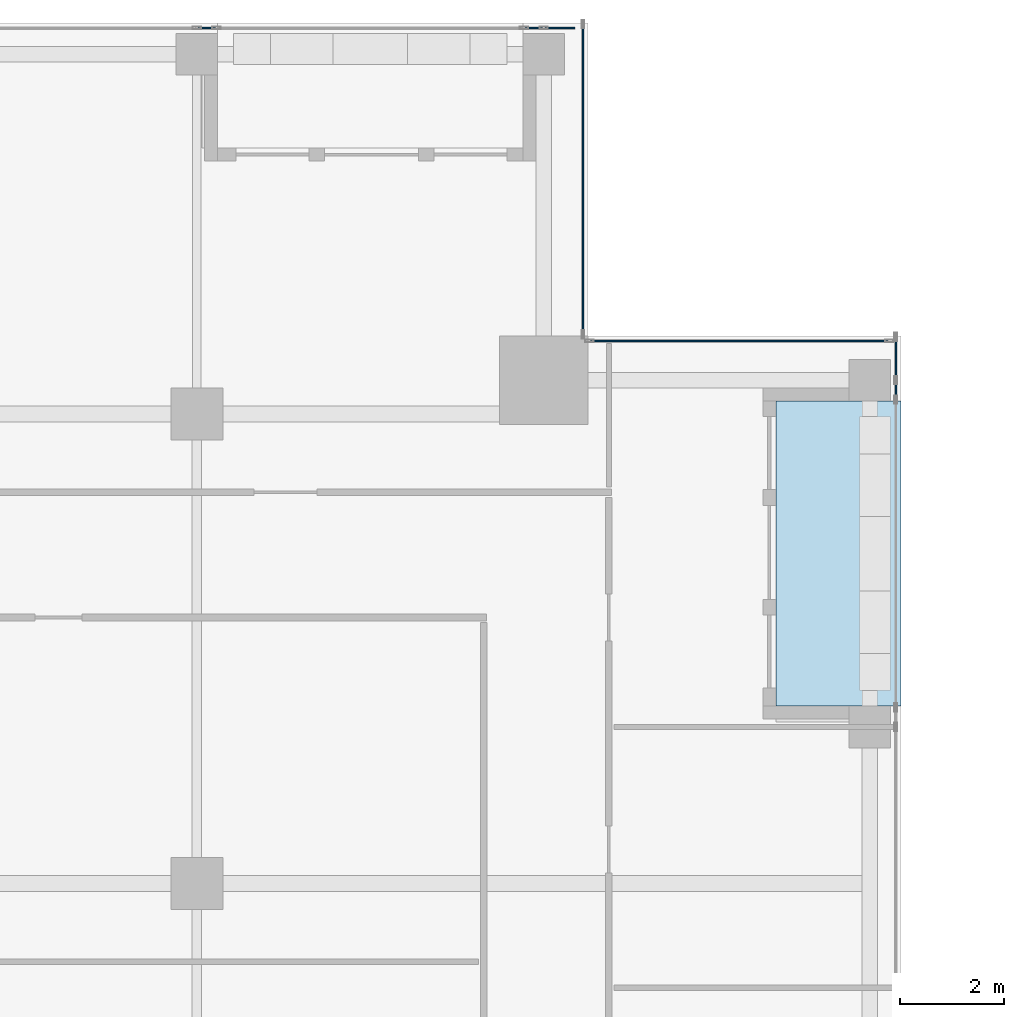
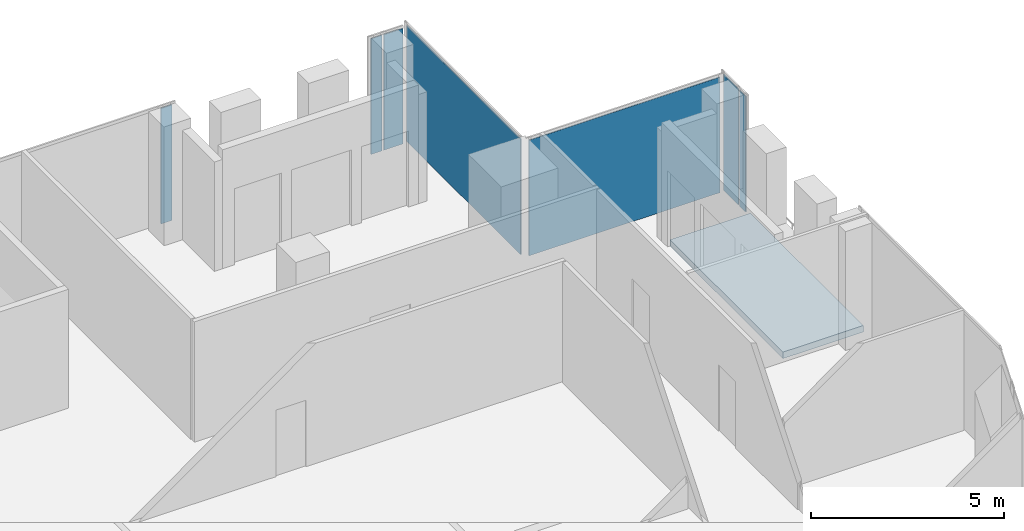
# One storey, part 22 of 28: 7 plates, 1 slab, 5 elements without a shape of their own.
"""IFC4 building model written with IfcOpenShell, lengths in metres."""

from ifc_helpers import new_model, si_unit, direction, frame, origin, origin_2d, place, context, subcontext, project, spatial, polyline, rectangle, outline, extrude, source, transform, mapped, material, layer, layer_set, type_object, element, aggregate, save


model = new_model("IFC4")

# Units and contexts
model_context = context("Model", 3, precision=1e-05, world=origin(), true_north=direction((0.0, 1.0)))
body_context = subcontext(model_context, "Body", "Model", "MODEL_VIEW")
ifc_project = project(units=[si_unit("LENGTHUNIT", "METRE"), si_unit("AREAUNIT", "SQUARE_METRE"), si_unit("VOLUMEUNIT", "CUBIC_METRE"), si_unit("PLANEANGLEUNIT", "RADIAN"), si_unit("MASSUNIT", "GRAM", prefix="KILO")], contexts=[model_context])

# Site, building, storey
site_placement = place(None, origin())
site = spatial("IfcSite", under=ifc_project, at=site_placement, CompositionType="ELEMENT")
building_placement = place(site_placement, origin())
building = spatial("IfcBuilding", under=site, at=building_placement, Name="Khomas Fold Tower", CompositionType="ELEMENT")
storey_placement = place(building_placement, frame((0.0, 0.0, 302.199951171875)))
storey = spatial("IfcBuildingStorey", under=building, at=storey_placement, Name="L68", CompositionType="ELEMENT", Elevation=302.199951171875)

# Curtain wall, plate
ifc_material_1 = material(Name="Aluminium framed double glazing", Category="aluminium")
curtain_wall_type = type_object("IfcCurtainWallType", Name="SK-Unitised clear-glass wall, upper floors CW3", PredefinedType="NOTDEFINED", material=ifc_material_1)
curtain_wall_1_placement = place(storey_placement, origin())
curtain_wall_1 = element("IfcCurtainWall", 1, at=curtain_wall_1_placement, inside=storey, type_object=curtain_wall_type, Name="CW3 run L68 06-0", PredefinedType="NOTDEFINED")
ifc_material_2 = material(Name="Clear double glazed unit")
ifc_layer_1 = layer(ifc_material_2, 0.028076171875)
ifc_layer_set_1 = layer_set([ifc_layer_1], Name="Clear double glazed unit")
plate_type = type_object("IfcPlateType", Name="SK-Unitised clear-glass wall, upper floors glass panel CW3-P", PredefinedType="CURTAIN_PANEL", material=ifc_layer_set_1)
shared_shape_1 = source(origin(), body_context, "Body", "SweptSolid", [
    extrude(rectangle(XDim=0.574951171875, YDim=0.028076171875, at=origin_2d()), origin(), (0.0, 0.0, 1.0), 3.64990234375),
])
plate_1_placement = place(storey_placement, frame((41.46240234375, 47.89990234375, 0.0), z_axis=(0.0, 0.0, 1.0), x_axis=(-1.0, 0.0, 0.0)))
plate_1 = element("IfcPlate", 2, at=plate_1_placement, type_object=plate_type, Name="CW3 glass panel 1", PredefinedType="CURTAIN_PANEL", context=body_context, shape_type="MappedRepresentation", body=[
    mapped(shared_shape_1, transform((0.0, 0.0, 0.0))),
])

curtain_wall_2_placement = place(storey_placement, origin())
curtain_wall_2 = element("IfcCurtainWall", 3, at=curtain_wall_2_placement, inside=storey, type_object=curtain_wall_type, Name="CW3 run L68 03-1", PredefinedType="NOTDEFINED")
shared_shape_2 = source(origin(), body_context, "Body", "SweptSolid", [
    extrude(rectangle(XDim=0.77490234375, YDim=0.028076171875, at=origin_2d()), origin(), (0.0, 0.0, 1.0), 3.64990234375),
])
plate_2_placement = place(storey_placement, frame((47.89990234375, 41.5625, 0.0), z_axis=(0.0, 0.0, 1.0), x_axis=(0.0, 1.0, 0.0)))
plate_2 = element("IfcPlate", 4, at=plate_2_placement, type_object=plate_type, Name="CW3 glass panel 2", PredefinedType="CURTAIN_PANEL", context=body_context, shape_type="MappedRepresentation", body=[
    mapped(shared_shape_2, transform((0.0, 0.0, 0.0))),
])

curtain_wall_3_placement = place(storey_placement, origin())
curtain_wall_3 = element("IfcCurtainWall", 5, at=curtain_wall_3_placement, inside=storey, type_object=curtain_wall_type, Name="CW3 corner return L68 04", PredefinedType="NOTDEFINED")
shared_shape_3 = source(origin(), body_context, "Body", "SweptSolid", [
    extrude(rectangle(XDim=5.699951171875, YDim=0.028076171875, at=origin_2d()), origin(), (0.0, 0.0, 1.0), 3.64990234375),
])
plate_3_placement = place(storey_placement, frame((44.89990234375, 41.89990234375, 0.0), z_axis=(0.0, 0.0, 1.0), x_axis=(-1.0, 0.0, 0.0)))
plate_3 = element("IfcPlate", 6, at=plate_3_placement, type_object=plate_type, Name="CW3 glass panel 1", PredefinedType="CURTAIN_PANEL", context=body_context, shape_type="MappedRepresentation", body=[
    mapped(shared_shape_3, transform((0.0, 0.0, 0.0))),
])
aggregate(curtain_wall_3, [plate_3])

curtain_wall_4_placement = place(storey_placement, origin())
curtain_wall_4 = element("IfcCurtainWall", 7, at=curtain_wall_4_placement, inside=storey, type_object=curtain_wall_type, Name="CW3 corner return L68 05", PredefinedType="NOTDEFINED")
shared_shape_4 = source(origin(), body_context, "Body", "SweptSolid", [
    extrude(rectangle(XDim=5.89990234375, YDim=0.028076171875, at=origin_2d()), origin(), (0.0, 0.0, 1.0), 3.64990234375),
])
plate_4_placement = place(storey_placement, frame((41.89990234375, 45.0, 0.0), z_axis=(0.0, 0.0, 1.0), x_axis=(0.0, 1.0, 0.0)))
plate_4 = element("IfcPlate", 8, at=plate_4_placement, type_object=plate_type, Name="CW3 glass panel 1", PredefinedType="CURTAIN_PANEL", context=body_context, shape_type="MappedRepresentation", body=[
    mapped(shared_shape_4, transform((0.0, 0.0, 0.0))),
])
aggregate(curtain_wall_4, [plate_4])

# Plate
shared_shape_5 = source(origin(), body_context, "Body", "SweptSolid", [
    extrude(rectangle(XDim=0.324951171875, YDim=0.028076171875, at=origin_2d()), origin(), (0.0, 0.0, 1.0), 3.64990234375),
])
plate_5_placement = place(storey_placement, frame((47.89990234375, 40.96240234375, 0.0), z_axis=(0.0, 0.0, 1.0), x_axis=(0.0, 1.0, 0.0)))
plate_5 = element("IfcPlate", 9, at=plate_5_placement, type_object=plate_type, Name="CW3 glass panel 1", PredefinedType="CURTAIN_PANEL", context=body_context, shape_type="MappedRepresentation", body=[
    mapped(shared_shape_5, transform((0.0, 0.0, 0.0))),
])

aggregate(curtain_wall_2, [plate_5, plate_2])

plate_6_placement = place(storey_placement, frame((40.96240234375, 47.89990234375, 0.0), z_axis=(0.0, 0.0, 1.0), x_axis=(-1.0, 0.0, 0.0)))
plate_6 = element("IfcPlate", 10, at=plate_6_placement, type_object=plate_type, Name="CW3 glass panel 2", PredefinedType="CURTAIN_PANEL", context=body_context, shape_type="MappedRepresentation", body=[
    mapped(shared_shape_5, transform((0.0, 0.0, 0.0))),
])

aggregate(curtain_wall_1, [plate_1, plate_6])

# Curtain wall, plate
curtain_wall_5_placement = place(storey_placement, origin())
curtain_wall_5 = element("IfcCurtainWall", 11, at=curtain_wall_5_placement, inside=storey, type_object=curtain_wall_type, Name="CW3 run L68 06-1", PredefinedType="NOTDEFINED")
plate_7_placement = place(storey_placement, frame((34.6875, 47.89990234375, 0.0), z_axis=(0.0, 0.0, 1.0), x_axis=(-1.0, 0.0, 0.0)))
plate_7 = element("IfcPlate", 12, at=plate_7_placement, type_object=plate_type, Name="CW3 glass panel 1", PredefinedType="CURTAIN_PANEL", context=body_context, shape_type="MappedRepresentation", body=[
    mapped(shared_shape_5, transform((0.0, 0.0, 0.0))),
])
aggregate(curtain_wall_5, [plate_7])

# Slab
ifc_material_3 = material(Name="Concrete C40/50", Category="concrete")
ifc_layer_2 = layer(ifc_material_3, 0.205078125)
ifc_layer_set_2 = layer_set([ifc_layer_2], Name="Concrete C40/50")
slab_type = type_object("IfcSlabType", Name="BL-Balcony deck 205", PredefinedType="FLOOR", material=ifc_layer_set_2)
shared_shape_6 = source(origin(), body_context, "Body", "SweptSolid", [
    extrude(outline(polyline([(45.60009765625, 34.89990234375), (48.0, 34.89990234375), (48.0, 40.75), (45.60009765625, 40.75), (45.60009765625, 34.89990234375)])), origin(), (0.0, 0.0, 1.0), 0.205078125),
])
slab_placement = place(storey_placement, frame((0.0, 0.0, -0.25)))
element("IfcSlab", 13, at=slab_placement, inside=storey, type_object=slab_type, Name="Balcony deck BAL-L68-E4", PredefinedType="FLOOR", context=body_context, shape_type="MappedRepresentation", body=[
    mapped(shared_shape_6, transform((0.0, 0.0, 0.0))),
])

save(model, "model.ifc")
